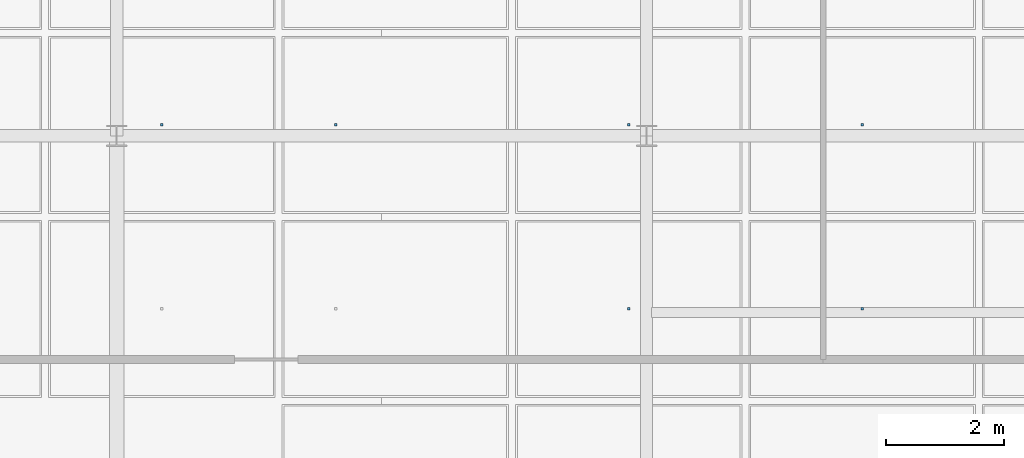
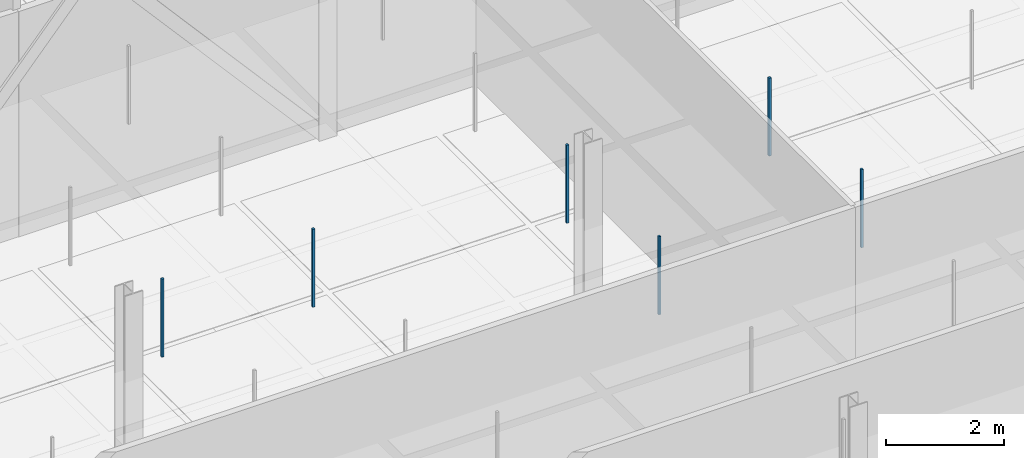
# One storey, part 132 of 180: 6 discrete accessories.
"""IFC4 building model written with IfcOpenShell, lengths in metres."""

from ifc_helpers import new_model, si_unit, direction, frame, origin, origin_2d, place, context, subcontext, project, spatial, rectangle, extrude, material, type_object, element, save


model = new_model("IFC4")

# Units and contexts
model_context = context("Model", 3, precision=1e-05, world=origin(), true_north=direction((0.0, 1.0)))
body_context = subcontext(model_context, "Body", "Model", "MODEL_VIEW")
ifc_project = project(units=[si_unit("LENGTHUNIT", "METRE"), si_unit("AREAUNIT", "SQUARE_METRE"), si_unit("VOLUMEUNIT", "CUBIC_METRE"), si_unit("PLANEANGLEUNIT", "RADIAN"), si_unit("MASSUNIT", "GRAM", prefix="KILO"), si_unit("THERMODYNAMICTEMPERATUREUNIT", "KELVIN"), si_unit("POWERUNIT", "WATT")], contexts=[model_context])

# Site, building, storey
site_placement = place(None, origin())
site = spatial("IfcSite", under=ifc_project, at=site_placement, CompositionType="ELEMENT")
building_placement = place(site_placement, origin())
building = spatial("IfcBuilding", under=site, at=building_placement, Name="Tallowbark Science Centre", CompositionType="ELEMENT")
storey_placement = place(building_placement, origin())
storey = spatial("IfcBuildingStorey", under=building, at=storey_placement, Name="L00", CompositionType="ELEMENT", Elevation=0.0)

# Discrete accessories
ifc_material = material(Name="Galvanised Steel Grade C350L0 (350 MPa)", Category="steel")
discrete_accessory_type = type_object("IfcDiscreteAccessoryType", Name="ACC-CLG-HNG", PredefinedType="BRACKET", material=ifc_material)
for number, where, z_axis, x_axis, name in (
    (1, (81.767822265625, 90.1875, 3.60498046875), (0.0, 0.0, 1.0), (1.0, 0.0, 0.0), "Ceiling Hanger Bracket L00-338"),
    (2, (84.719970703125, 90.1875, 3.60498046875), (0.0, 0.0, 1.0), (1.0, 0.0, 0.0), "Ceiling Hanger Bracket L00-346"),
    (3, (89.6962890625, 87.0625, 3.60498046875), (0.0, 0.0, 1.0), (1.0, 0.0, 0.0), "Ceiling Hanger Bracket L00-353"),
    (4, (89.6962890625, 90.1875, 3.60498046875), (0.0, 0.0, 1.0), (1.0, 0.0, 0.0), "Ceiling Hanger Bracket L00-354"),
    (5, (93.66064453125, 87.0625, 3.60498046875), (0.0, 0.0, 1.0), (1.0, 0.0, 0.0), "Ceiling Hanger Bracket L00-361"),
    (6, (93.66064453125, 90.1875, 3.60498046875), (0.0, 0.0, 1.0), (1.0, 0.0, 0.0), "Ceiling Hanger Bracket L00-362"),
):
    element("IfcDiscreteAccessory", number, at=place(storey_placement, frame(where, z_axis=z_axis, x_axis=x_axis)), inside=storey, type_object=discrete_accessory_type, Name=name, PredefinedType="BRACKET", context=body_context, shape_type="SweptSolid", body=[
        extrude(rectangle(XDim=0.044921875, YDim=0.044921875, at=origin_2d()), origin(), (0.0, 0.0, 1.0), 1.617919921875),
    ])

save(model, "model.ifc")
